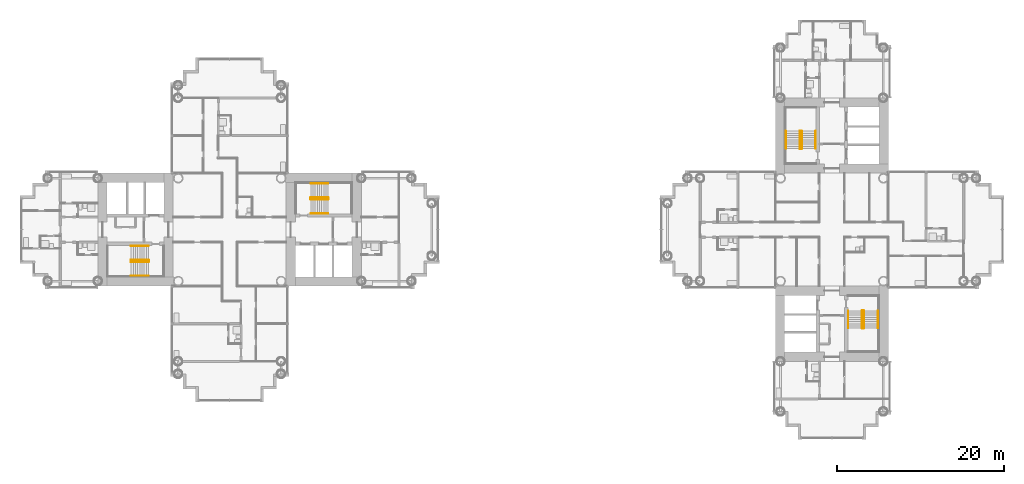
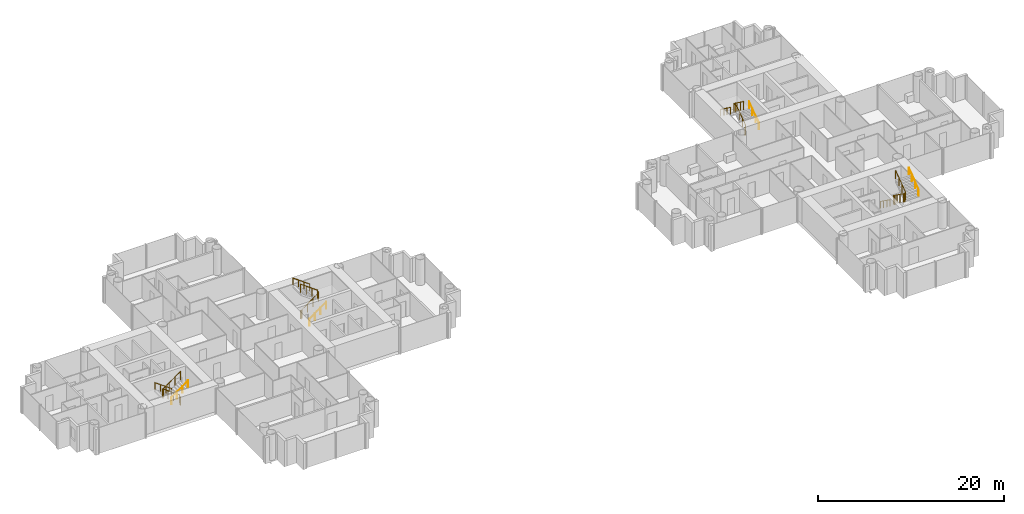
# One storey, part 20 of 21: 12 railings.
"""IFC4 building model written with IfcOpenShell, lengths in metres."""

from ifc_helpers import new_model, si_unit, direction, frame, origin, origin_2d, place, context, subcontext, project, spatial, circle, extrude, material, type_object, element, save


model = new_model("IFC4")

# Units and contexts
model_context = context("Model", 3, precision=1e-05, world=origin(), true_north=direction((0.0, 1.0)))
body_context = subcontext(model_context, "Body", "Model", "MODEL_VIEW")
ifc_project = project(units=[si_unit("LENGTHUNIT", "METRE"), si_unit("AREAUNIT", "SQUARE_METRE"), si_unit("VOLUMEUNIT", "CUBIC_METRE"), si_unit("PLANEANGLEUNIT", "RADIAN"), si_unit("MASSUNIT", "GRAM", prefix="KILO")], contexts=[model_context])

# Site, building, storey
site_placement = place(None, origin())
site = spatial("IfcSite", under=ifc_project, at=site_placement, CompositionType="ELEMENT")
building_placement = place(site_placement, origin())
building = spatial("IfcBuilding", under=site, at=building_placement, Name="Ipe Terrace Towers", CompositionType="ELEMENT")
storey_placement = place(building_placement, frame((0.0, 0.0, 41.5)))
storey = spatial("IfcBuildingStorey", under=building, at=storey_placement, Name="L10", CompositionType="ELEMENT", Elevation=41.5)

# Railings
ifc_material_1 = material(Name="Steel S355", Category="steel")
railing_type_1 = type_object("IfcRailingType", Name="Stair guard 1100", PredefinedType="GUARDRAIL", material=ifc_material_1)
railing_1_placement = place(storey_placement, frame((-26.35009765625, 3.800048828125, 0.0)))
element("IfcRailing", 1, at=railing_1_placement, inside=storey, type_object=railing_type_1, Name="L10 T1-ST1 stair guard 1", PredefinedType="GUARDRAIL", context=body_context, shape_type="SweptSolid", body=[
    extrude(circle(Radius=0.02392578125, at=origin_2d()), frame((0.0, 0.0, 1.076171875), z_axis=(0.0, -1.0, 0.0), x_axis=(1.0, 0.0, 0.0)), (0.0, 0.0, 1.0), 0.150146484375),
    extrude(circle(Radius=0.02392578125, at=origin_2d()), frame((0.0, -0.150146484375, 1.076171875), z_axis=(0.248103849378, -0.246893586699, 0.936743314239), x_axis=(0.705375805398, 0.708833529934, 0.0)), (0.0, 0.0, 1.0), 0.20166015625),
    extrude(circle(Radius=0.02392578125, at=origin_2d()), frame((0.050048828125, -0.199951171875, 1.26513671875), z_axis=(0.809068575486, 0.0, 0.587714250432), x_axis=(0.0, 1.0, 0.0)), (0.0, 0.0, 1.0), 2.571044921875),
    extrude(circle(Radius=0.02392578125, at=origin_2d()), frame((2.130126953125, -0.199951171875, 2.77587890625), z_axis=(0.708833529934, 0.705375805398, 0.0), x_axis=(-0.705375805398, 0.708833529934, 0.0)), (0.0, 0.0, 1.0), 0.070556640625),
    extrude(circle(Radius=0.02392578125, at=origin_2d()), frame((2.18017578125, -0.150146484375, 2.77587890625), z_axis=(0.0, 1.0, 0.0), x_axis=(-1.0, 0.0, 0.0)), (0.0, 0.0, 1.0), 0.150146484375),
    extrude(circle(Radius=0.02392578125, at=origin_2d()), frame((2.18017578125, 0.0, 2.77587890625), z_axis=(-0.248029566107, 0.248029566107, 0.936462849596), x_axis=(-0.707106781187, -0.707106781187, 0.0)), (0.0, 0.0, 1.0), 0.201904296875),
    extrude(circle(Radius=0.02392578125, at=origin_2d()), frame((2.130126953125, 0.050048828125, 2.96484375), z_axis=(-0.809068575486, 0.0, 0.587714250432), x_axis=(0.0, -1.0, 0.0)), (0.0, 0.0, 1.0), 2.571044921875),
    extrude(circle(Radius=0.02099609375, at=origin_2d()), origin(), (0.0, 0.0, 1.0), 1.052001953125),
    extrude(circle(Radius=0.02099609375, at=origin_2d()), frame((0.0, -0.150146484375, 0.0)), (0.0, 0.0, 1.0), 1.052001953125),
    extrude(circle(Radius=0.02099609375, at=origin_2d()), frame((0.050048828125, -0.199951171875, 0.18896484375)), (0.0, 0.0, 1.0), 1.052001953125),
    extrude(circle(Radius=0.02099609375, at=origin_2d()), frame((0.743408203125, -0.199951171875, 0.692626953125)), (0.0, 0.0, 1.0), 1.052001953125),
    extrude(circle(Radius=0.02099609375, at=origin_2d()), frame((1.436767578125, -0.199951171875, 1.1962890625)), (0.0, 0.0, 1.0), 1.052001953125),
    extrude(circle(Radius=0.02099609375, at=origin_2d()), frame((2.130126953125, -0.199951171875, 1.699951171875)), (0.0, 0.0, 1.0), 1.052001953125),
    extrude(circle(Radius=0.02099609375, at=origin_2d()), frame((2.18017578125, -0.150146484375, 1.699951171875)), (0.0, 0.0, 1.0), 1.052001953125),
    extrude(circle(Radius=0.02099609375, at=origin_2d()), frame((2.18017578125, 0.0, 1.699951171875)), (0.0, 0.0, 1.0), 1.052001953125),
    extrude(circle(Radius=0.02099609375, at=origin_2d()), frame((2.130126953125, 0.050048828125, 1.888916015625)), (0.0, 0.0, 1.0), 1.052001953125),
    extrude(circle(Radius=0.02099609375, at=origin_2d()), frame((1.436767578125, 0.050048828125, 2.392578125)), (0.0, 0.0, 1.0), 1.052001953125),
    extrude(circle(Radius=0.02099609375, at=origin_2d()), frame((0.743408203125, 0.050048828125, 2.896240234375)), (0.0, 0.0, 1.0), 1.052001953125),
    extrude(circle(Radius=0.02099609375, at=origin_2d()), frame((0.050048828125, 0.050048828125, 3.39990234375)), (0.0, 0.0, 1.0), 1.052001953125),
])
railing_2_placement = place(storey_placement, frame((-45.64990234375, -3.800048828125, 0.0)))
element("IfcRailing", 2, at=railing_2_placement, inside=storey, type_object=railing_type_1, Name="L10 T1-ST2 stair guard 1", PredefinedType="GUARDRAIL", context=body_context, shape_type="SweptSolid", body=[
    extrude(circle(Radius=0.02392578125, at=origin_2d()), frame((0.0, 0.0, 1.076171875), z_axis=(0.0, 1.0, 0.0), x_axis=(-1.0, 0.0, 0.0)), (0.0, 0.0, 1.0), 0.150146484375),
    extrude(circle(Radius=0.02392578125, at=origin_2d()), frame((0.0, 0.150146484375, 1.076171875), z_axis=(-0.248103849378, 0.246893586699, 0.936743314239), x_axis=(-0.705375805398, -0.708833529934, 0.0)), (0.0, 0.0, 1.0), 0.20166015625),
    extrude(circle(Radius=0.02392578125, at=origin_2d()), frame((-0.050048828125, 0.199951171875, 1.26513671875), z_axis=(-0.809068575486, 0.0, 0.587714250432), x_axis=(0.0, -1.0, 0.0)), (0.0, 0.0, 1.0), 2.571044921875),
    extrude(circle(Radius=0.02392578125, at=origin_2d()), frame((-2.130126953125, 0.199951171875, 2.77587890625), z_axis=(-0.708833529934, -0.705375805398, 0.0), x_axis=(0.705375805398, -0.708833529934, 0.0)), (0.0, 0.0, 1.0), 0.070556640625),
    extrude(circle(Radius=0.02392578125, at=origin_2d()), frame((-2.18017578125, 0.150146484375, 2.77587890625), z_axis=(0.0, -1.0, 0.0), x_axis=(1.0, 0.0, 0.0)), (0.0, 0.0, 1.0), 0.150146484375),
    extrude(circle(Radius=0.02392578125, at=origin_2d()), frame((-2.18017578125, 0.0, 2.77587890625), z_axis=(0.248029566107, -0.248029566107, 0.936462849596), x_axis=(0.707106781187, 0.707106781187, 0.0)), (0.0, 0.0, 1.0), 0.201904296875),
    extrude(circle(Radius=0.02392578125, at=origin_2d()), frame((-2.130126953125, -0.050048828125, 2.96484375), z_axis=(0.809068575486, 0.0, 0.587714250432), x_axis=(0.0, 1.0, 0.0)), (0.0, 0.0, 1.0), 2.571044921875),
    extrude(circle(Radius=0.02099609375, at=origin_2d()), origin(), (0.0, 0.0, 1.0), 1.052001953125),
    extrude(circle(Radius=0.02099609375, at=origin_2d()), frame((0.0, 0.150146484375, 0.0)), (0.0, 0.0, 1.0), 1.052001953125),
    extrude(circle(Radius=0.02099609375, at=origin_2d()), frame((-0.050048828125, 0.199951171875, 0.18896484375)), (0.0, 0.0, 1.0), 1.052001953125),
    extrude(circle(Radius=0.02099609375, at=origin_2d()), frame((-0.743408203125, 0.199951171875, 0.692626953125)), (0.0, 0.0, 1.0), 1.052001953125),
    extrude(circle(Radius=0.02099609375, at=origin_2d()), frame((-1.436767578125, 0.199951171875, 1.1962890625)), (0.0, 0.0, 1.0), 1.052001953125),
    extrude(circle(Radius=0.02099609375, at=origin_2d()), frame((-2.130126953125, 0.199951171875, 1.699951171875)), (0.0, 0.0, 1.0), 1.052001953125),
    extrude(circle(Radius=0.02099609375, at=origin_2d()), frame((-2.18017578125, 0.150146484375, 1.699951171875)), (0.0, 0.0, 1.0), 1.052001953125),
    extrude(circle(Radius=0.02099609375, at=origin_2d()), frame((-2.18017578125, 0.0, 1.699951171875)), (0.0, 0.0, 1.0), 1.052001953125),
    extrude(circle(Radius=0.02099609375, at=origin_2d()), frame((-2.130126953125, -0.050048828125, 1.888916015625)), (0.0, 0.0, 1.0), 1.052001953125),
    extrude(circle(Radius=0.02099609375, at=origin_2d()), frame((-1.436767578125, -0.050048828125, 2.392578125)), (0.0, 0.0, 1.0), 1.052001953125),
    extrude(circle(Radius=0.02099609375, at=origin_2d()), frame((-0.743408203125, -0.050048828125, 2.896240234375)), (0.0, 0.0, 1.0), 1.052001953125),
    extrude(circle(Radius=0.02099609375, at=origin_2d()), frame((-0.050048828125, -0.050048828125, 3.39990234375)), (0.0, 0.0, 1.0), 1.052001953125),
])
railing_3_placement = place(storey_placement, frame((32.199951171875, 9.64990234375, 0.0)))
element("IfcRailing", 3, at=railing_3_placement, inside=storey, type_object=railing_type_1, Name="L10 T2-ST1 stair guard 1", PredefinedType="GUARDRAIL", context=body_context, shape_type="SweptSolid", body=[
    extrude(circle(Radius=0.02392578125, at=origin_2d()), frame((0.0, 0.0, 1.076171875), z_axis=(1.0, 0.0, 0.0), x_axis=(0.0, 1.0, 0.0)), (0.0, 0.0, 1.0), 0.150146484375),
    extrude(circle(Radius=0.02392578125, at=origin_2d()), frame((0.150146484375, 0.0, 1.076171875), z_axis=(0.246893586699, 0.248103849378, 0.936743314239), x_axis=(-0.708833529934, 0.705375805398, 0.0)), (0.0, 0.0, 1.0), 0.20166015625),
    extrude(circle(Radius=0.02392578125, at=origin_2d()), frame((0.199951171875, 0.050048828125, 1.26513671875), z_axis=(0.0, 0.809068575486, 0.587714250432), x_axis=(-1.0, 0.0, 0.0)), (0.0, 0.0, 1.0), 2.571044921875),
    extrude(circle(Radius=0.02392578125, at=origin_2d()), frame((0.199951171875, 2.130126953125, 2.77587890625), z_axis=(-0.705375805398, 0.708833529934, 0.0), x_axis=(-0.708833529934, -0.705375805398, 0.0)), (0.0, 0.0, 1.0), 0.070556640625),
    extrude(circle(Radius=0.02392578125, at=origin_2d()), frame((0.150146484375, 2.18017578125, 2.77587890625), z_axis=(-1.0, 0.0, 0.0), x_axis=(0.0, -1.0, 0.0)), (0.0, 0.0, 1.0), 0.150146484375),
    extrude(circle(Radius=0.02392578125, at=origin_2d()), frame((0.0, 2.18017578125, 2.77587890625), z_axis=(-0.248029566107, -0.248029566107, 0.936462849596), x_axis=(0.707106781187, -0.707106781187, 0.0)), (0.0, 0.0, 1.0), 0.201904296875),
    extrude(circle(Radius=0.02392578125, at=origin_2d()), frame((-0.050048828125, 2.130126953125, 2.96484375), z_axis=(0.0, -0.809068575486, 0.587714250432), x_axis=(1.0, 0.0, 0.0)), (0.0, 0.0, 1.0), 2.571044921875),
    extrude(circle(Radius=0.02099609375, at=origin_2d()), origin(), (0.0, 0.0, 1.0), 1.052001953125),
    extrude(circle(Radius=0.02099609375, at=origin_2d()), frame((0.150146484375, 0.0, 0.0)), (0.0, 0.0, 1.0), 1.052001953125),
    extrude(circle(Radius=0.02099609375, at=origin_2d()), frame((0.199951171875, 0.050048828125, 0.18896484375)), (0.0, 0.0, 1.0), 1.052001953125),
    extrude(circle(Radius=0.02099609375, at=origin_2d()), frame((0.199951171875, 0.743408203125, 0.692626953125)), (0.0, 0.0, 1.0), 1.052001953125),
    extrude(circle(Radius=0.02099609375, at=origin_2d()), frame((0.199951171875, 1.436767578125, 1.1962890625)), (0.0, 0.0, 1.0), 1.052001953125),
    extrude(circle(Radius=0.02099609375, at=origin_2d()), frame((0.199951171875, 2.130126953125, 1.699951171875)), (0.0, 0.0, 1.0), 1.052001953125),
    extrude(circle(Radius=0.02099609375, at=origin_2d()), frame((0.150146484375, 2.18017578125, 1.699951171875)), (0.0, 0.0, 1.0), 1.052001953125),
    extrude(circle(Radius=0.02099609375, at=origin_2d()), frame((0.0, 2.18017578125, 1.699951171875)), (0.0, 0.0, 1.0), 1.052001953125),
    extrude(circle(Radius=0.02099609375, at=origin_2d()), frame((-0.050048828125, 2.130126953125, 1.888916015625)), (0.0, 0.0, 1.0), 1.052001953125),
    extrude(circle(Radius=0.02099609375, at=origin_2d()), frame((-0.050048828125, 1.436767578125, 2.392578125)), (0.0, 0.0, 1.0), 1.052001953125),
    extrude(circle(Radius=0.02099609375, at=origin_2d()), frame((-0.050048828125, 0.743408203125, 2.896240234375)), (0.0, 0.0, 1.0), 1.052001953125),
    extrude(circle(Radius=0.02099609375, at=origin_2d()), frame((-0.050048828125, 0.050048828125, 3.39990234375)), (0.0, 0.0, 1.0), 1.052001953125),
])
railing_4_placement = place(storey_placement, frame((39.800048828125, -9.64990234375, 0.0)))
element("IfcRailing", 4, at=railing_4_placement, inside=storey, type_object=railing_type_1, Name="L10 T2-ST2 stair guard 1", PredefinedType="GUARDRAIL", context=body_context, shape_type="SweptSolid", body=[
    extrude(circle(Radius=0.02392578125, at=origin_2d()), frame((0.0, 0.0, 1.076171875), z_axis=(-1.0, 0.0, 0.0), x_axis=(0.0, -1.0, 0.0)), (0.0, 0.0, 1.0), 0.150146484375),
    extrude(circle(Radius=0.02392578125, at=origin_2d()), frame((-0.150146484375, 0.0, 1.076171875), z_axis=(-0.246893586699, -0.248103849378, 0.936743314239), x_axis=(0.708833529934, -0.705375805398, 0.0)), (0.0, 0.0, 1.0), 0.20166015625),
    extrude(circle(Radius=0.02392578125, at=origin_2d()), frame((-0.199951171875, -0.050048828125, 1.26513671875), z_axis=(0.0, -0.809068575486, 0.587714250432), x_axis=(1.0, 0.0, 0.0)), (0.0, 0.0, 1.0), 2.571044921875),
    extrude(circle(Radius=0.02392578125, at=origin_2d()), frame((-0.199951171875, -2.130126953125, 2.77587890625), z_axis=(0.705375805398, -0.708833529934, 0.0), x_axis=(0.708833529934, 0.705375805398, 0.0)), (0.0, 0.0, 1.0), 0.070556640625),
    extrude(circle(Radius=0.02392578125, at=origin_2d()), frame((-0.150146484375, -2.18017578125, 2.77587890625), z_axis=(1.0, 0.0, 0.0), x_axis=(0.0, 1.0, 0.0)), (0.0, 0.0, 1.0), 0.150146484375),
    extrude(circle(Radius=0.02392578125, at=origin_2d()), frame((0.0, -2.18017578125, 2.77587890625), z_axis=(0.248029566107, 0.248029566107, 0.936462849596), x_axis=(-0.707106781187, 0.707106781187, 0.0)), (0.0, 0.0, 1.0), 0.201904296875),
    extrude(circle(Radius=0.02392578125, at=origin_2d()), frame((0.050048828125, -2.130126953125, 2.96484375), z_axis=(0.0, 0.809068575486, 0.587714250432), x_axis=(-1.0, 0.0, 0.0)), (0.0, 0.0, 1.0), 2.571044921875),
    extrude(circle(Radius=0.02099609375, at=origin_2d()), origin(), (0.0, 0.0, 1.0), 1.052001953125),
    extrude(circle(Radius=0.02099609375, at=origin_2d()), frame((-0.150146484375, 0.0, 0.0)), (0.0, 0.0, 1.0), 1.052001953125),
    extrude(circle(Radius=0.02099609375, at=origin_2d()), frame((-0.199951171875, -0.050048828125, 0.18896484375)), (0.0, 0.0, 1.0), 1.052001953125),
    extrude(circle(Radius=0.02099609375, at=origin_2d()), frame((-0.199951171875, -0.743408203125, 0.692626953125)), (0.0, 0.0, 1.0), 1.052001953125),
    extrude(circle(Radius=0.02099609375, at=origin_2d()), frame((-0.199951171875, -1.436767578125, 1.1962890625)), (0.0, 0.0, 1.0), 1.052001953125),
    extrude(circle(Radius=0.02099609375, at=origin_2d()), frame((-0.199951171875, -2.130126953125, 1.699951171875)), (0.0, 0.0, 1.0), 1.052001953125),
    extrude(circle(Radius=0.02099609375, at=origin_2d()), frame((-0.150146484375, -2.18017578125, 1.699951171875)), (0.0, 0.0, 1.0), 1.052001953125),
    extrude(circle(Radius=0.02099609375, at=origin_2d()), frame((0.0, -2.18017578125, 1.699951171875)), (0.0, 0.0, 1.0), 1.052001953125),
    extrude(circle(Radius=0.02099609375, at=origin_2d()), frame((0.050048828125, -2.130126953125, 1.888916015625)), (0.0, 0.0, 1.0), 1.052001953125),
    extrude(circle(Radius=0.02099609375, at=origin_2d()), frame((0.050048828125, -1.436767578125, 2.392578125)), (0.0, 0.0, 1.0), 1.052001953125),
    extrude(circle(Radius=0.02099609375, at=origin_2d()), frame((0.050048828125, -0.743408203125, 2.896240234375)), (0.0, 0.0, 1.0), 1.052001953125),
    extrude(circle(Radius=0.02099609375, at=origin_2d()), frame((0.050048828125, -0.050048828125, 3.39990234375)), (0.0, 0.0, 1.0), 1.052001953125),
])
ifc_material_2 = material(Name="Stainless steel grade 304", Category="steel")
railing_type_2 = type_object("IfcRailingType", Name="Stair handrail 900", PredefinedType="HANDRAIL", material=ifc_material_2)
railing_5_placement = place(storey_placement, frame((-26.300048828125, 1.949951171875, 0.18896484375)))
element("IfcRailing", 5, at=railing_5_placement, inside=storey, type_object=railing_type_2, Name="L10 T1-ST1 stair handrail 1", PredefinedType="HANDRAIL", context=body_context, shape_type="SweptSolid", body=[
    extrude(circle(Radius=0.02392578125, at=origin_2d()), frame((0.0, 0.0, 0.8759765625), z_axis=(0.809068575486, 0.0, 0.587714250432), x_axis=(0.0, 1.0, 0.0)), (0.0, 0.0, 1.0), 2.571044921875),
    extrude(circle(Radius=0.02099609375, at=origin_2d()), origin(), (0.0, 0.0, 1.0), 0.851806640625),
    extrude(circle(Radius=0.02099609375, at=origin_2d()), frame((0.693359375, 0.0, 0.503662109375)), (0.0, 0.0, 1.0), 0.851806640625),
    extrude(circle(Radius=0.02099609375, at=origin_2d()), frame((1.38671875, 0.0, 1.00732421875)), (0.0, 0.0, 1.0), 0.851806640625),
    extrude(circle(Radius=0.02099609375, at=origin_2d()), frame((2.080078125, 0.0, 1.510986328125)), (0.0, 0.0, 1.0), 0.851806640625),
])
for number, where, name in (
    (6, (-24.219970703125, 5.5, 1.888916015625), "L10 T1-ST1 stair handrail 2"),
    (7, (-45.699951171875, -1.949951171875, 0.18896484375), "L10 T1-ST2 stair handrail 1"),
):
    element("IfcRailing", number, at=place(storey_placement, frame(where)), inside=storey, type_object=railing_type_2, Name=name, PredefinedType="HANDRAIL", context=body_context, shape_type="SweptSolid", body=[
        extrude(circle(Radius=0.02392578125, at=origin_2d()), frame((0.0, 0.0, 0.8759765625), z_axis=(-0.809068575486, 0.0, 0.587714250432), x_axis=(0.0, -1.0, 0.0)), (0.0, 0.0, 1.0), 2.571044921875),
        extrude(circle(Radius=0.02099609375, at=origin_2d()), origin(), (0.0, 0.0, 1.0), 0.851806640625),
        extrude(circle(Radius=0.02099609375, at=origin_2d()), frame((-0.693359375, 0.0, 0.503662109375)), (0.0, 0.0, 1.0), 0.851806640625),
        extrude(circle(Radius=0.02099609375, at=origin_2d()), frame((-1.38671875, 0.0, 1.00732421875)), (0.0, 0.0, 1.0), 0.851806640625),
        extrude(circle(Radius=0.02099609375, at=origin_2d()), frame((-2.080078125, 0.0, 1.510986328125)), (0.0, 0.0, 1.0), 0.851806640625),
    ])
railing_6_placement = place(storey_placement, frame((-47.780029296875, -5.5, 1.888916015625)))
element("IfcRailing", 8, at=railing_6_placement, inside=storey, type_object=railing_type_2, Name="L10 T1-ST2 stair handrail 2", PredefinedType="HANDRAIL", context=body_context, shape_type="SweptSolid", body=[
    extrude(circle(Radius=0.02392578125, at=origin_2d()), frame((0.0, 0.0, 0.8759765625), z_axis=(0.809068575486, 0.0, 0.587714250432), x_axis=(0.0, 1.0, 0.0)), (0.0, 0.0, 1.0), 2.571044921875),
    extrude(circle(Radius=0.02099609375, at=origin_2d()), origin(), (0.0, 0.0, 1.0), 0.851806640625),
    extrude(circle(Radius=0.02099609375, at=origin_2d()), frame((0.693359375, 0.0, 0.503662109375)), (0.0, 0.0, 1.0), 0.851806640625),
    extrude(circle(Radius=0.02099609375, at=origin_2d()), frame((1.38671875, 0.0, 1.00732421875)), (0.0, 0.0, 1.0), 0.851806640625),
    extrude(circle(Radius=0.02099609375, at=origin_2d()), frame((2.080078125, 0.0, 1.510986328125)), (0.0, 0.0, 1.0), 0.851806640625),
])
railing_7_placement = place(storey_placement, frame((34.050048828125, 9.699951171875, 0.18896484375)))
element("IfcRailing", 9, at=railing_7_placement, inside=storey, type_object=railing_type_2, Name="L10 T2-ST1 stair handrail 1", PredefinedType="HANDRAIL", context=body_context, shape_type="SweptSolid", body=[
    extrude(circle(Radius=0.02392578125, at=origin_2d()), frame((0.0, 0.0, 0.8759765625), z_axis=(0.0, 0.809068575486, 0.587714250432), x_axis=(-1.0, 0.0, 0.0)), (0.0, 0.0, 1.0), 2.571044921875),
    extrude(circle(Radius=0.02099609375, at=origin_2d()), origin(), (0.0, 0.0, 1.0), 0.851806640625),
    extrude(circle(Radius=0.02099609375, at=origin_2d()), frame((0.0, 0.693359375, 0.503662109375)), (0.0, 0.0, 1.0), 0.851806640625),
    extrude(circle(Radius=0.02099609375, at=origin_2d()), frame((0.0, 1.38671875, 1.00732421875)), (0.0, 0.0, 1.0), 0.851806640625),
    extrude(circle(Radius=0.02099609375, at=origin_2d()), frame((0.0, 2.080078125, 1.510986328125)), (0.0, 0.0, 1.0), 0.851806640625),
])
for number, where, name in (
    (10, (30.5, 11.780029296875, 1.888916015625), "L10 T2-ST1 stair handrail 2"),
    (11, (37.949951171875, -9.699951171875, 0.18896484375), "L10 T2-ST2 stair handrail 1"),
):
    element("IfcRailing", number, at=place(storey_placement, frame(where)), inside=storey, type_object=railing_type_2, Name=name, PredefinedType="HANDRAIL", context=body_context, shape_type="SweptSolid", body=[
        extrude(circle(Radius=0.02392578125, at=origin_2d()), frame((0.0, 0.0, 0.8759765625), z_axis=(0.0, -0.809068575486, 0.587714250432), x_axis=(1.0, 0.0, 0.0)), (0.0, 0.0, 1.0), 2.571044921875),
        extrude(circle(Radius=0.02099609375, at=origin_2d()), origin(), (0.0, 0.0, 1.0), 0.851806640625),
        extrude(circle(Radius=0.02099609375, at=origin_2d()), frame((0.0, -0.693359375, 0.503662109375)), (0.0, 0.0, 1.0), 0.851806640625),
        extrude(circle(Radius=0.02099609375, at=origin_2d()), frame((0.0, -1.38671875, 1.00732421875)), (0.0, 0.0, 1.0), 0.851806640625),
        extrude(circle(Radius=0.02099609375, at=origin_2d()), frame((0.0, -2.080078125, 1.510986328125)), (0.0, 0.0, 1.0), 0.851806640625),
    ])
railing_8_placement = place(storey_placement, frame((41.5, -11.780029296875, 1.888916015625)))
element("IfcRailing", 12, at=railing_8_placement, inside=storey, type_object=railing_type_2, Name="L10 T2-ST2 stair handrail 2", PredefinedType="HANDRAIL", context=body_context, shape_type="SweptSolid", body=[
    extrude(circle(Radius=0.02392578125, at=origin_2d()), frame((0.0, 0.0, 0.8759765625), z_axis=(0.0, 0.809068575486, 0.587714250432), x_axis=(-1.0, 0.0, 0.0)), (0.0, 0.0, 1.0), 2.571044921875),
    extrude(circle(Radius=0.02099609375, at=origin_2d()), origin(), (0.0, 0.0, 1.0), 0.851806640625),
    extrude(circle(Radius=0.02099609375, at=origin_2d()), frame((0.0, 0.693359375, 0.503662109375)), (0.0, 0.0, 1.0), 0.851806640625),
    extrude(circle(Radius=0.02099609375, at=origin_2d()), frame((0.0, 1.38671875, 1.00732421875)), (0.0, 0.0, 1.0), 0.851806640625),
    extrude(circle(Radius=0.02099609375, at=origin_2d()), frame((0.0, 2.080078125, 1.510986328125)), (0.0, 0.0, 1.0), 0.851806640625),
])

save(model, "model.ifc")
